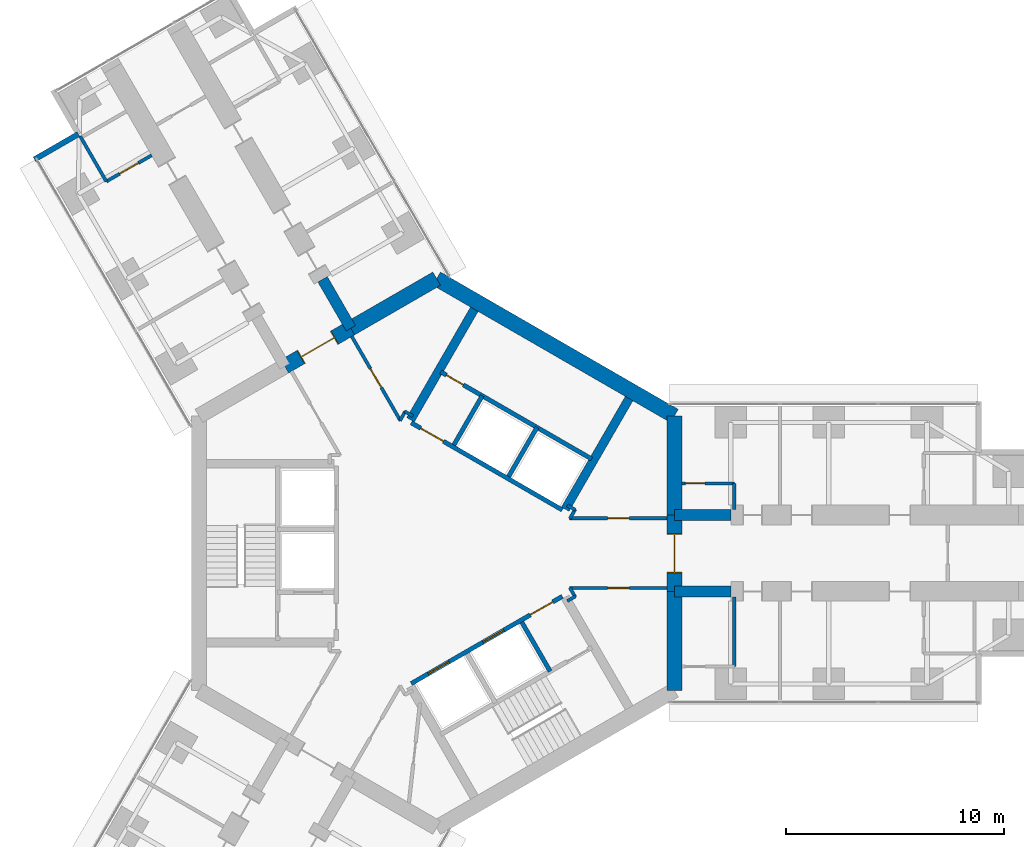
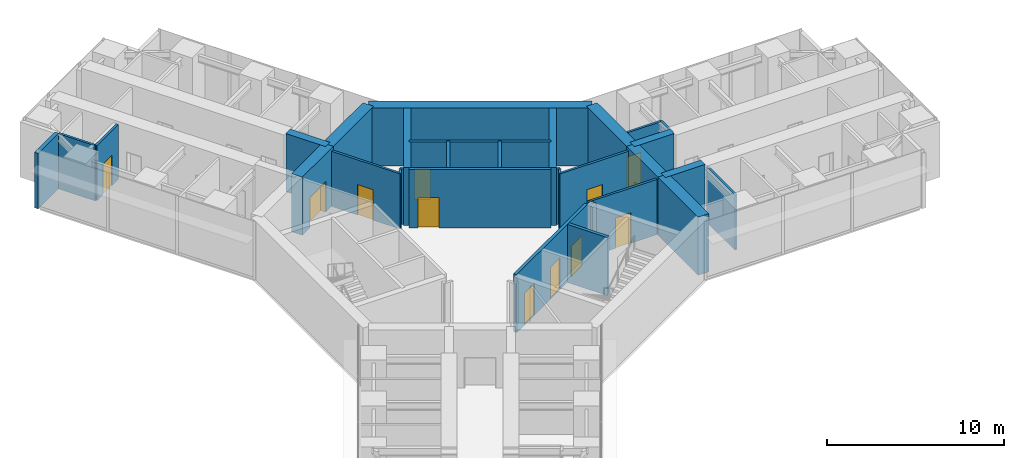
# One storey, part 18 of 24: 32 walls, 12 doors, 12 openings.
"""IFC4 building model written with IfcOpenShell, lengths in metres."""

from ifc_helpers import new_model, si_unit, direction, frame, frame_2d, origin, place, context, subcontext, project, spatial, rectangle, extrude, material, layer, layer_set, type_object, element, fill, save


model = new_model("IFC4")

# Units and contexts
model_context = context("Model", 3, precision=1e-05, world=origin(), true_north=direction((0.0, 1.0)))
body_context = subcontext(model_context, "Body", "Model", "MODEL_VIEW")
ifc_project = project(units=[si_unit("LENGTHUNIT", "METRE"), si_unit("AREAUNIT", "SQUARE_METRE"), si_unit("VOLUMEUNIT", "CUBIC_METRE"), si_unit("PLANEANGLEUNIT", "RADIAN"), si_unit("MASSUNIT", "GRAM", prefix="KILO")], contexts=[model_context])

# Site, building, storey
site_placement = place(None, origin())
site = spatial("IfcSite", under=ifc_project, at=site_placement, CompositionType="ELEMENT")
building_placement = place(site_placement, origin())
building = spatial("IfcBuilding", under=site, at=building_placement, Name="Upepo Twin Towers", CompositionType="ELEMENT")
storey_placement = place(building_placement, frame((0.0, 0.0, 56.5)))
storey = spatial("IfcBuildingStorey", under=building, at=storey_placement, Name="L13", CompositionType="ELEMENT", Elevation=56.5)

# Walls
ifc_material_1 = material(Name="Concrete C60/75", Category="concrete")
ifc_layer_1 = layer(ifc_material_1, 0.5)
ifc_layer_set_1 = layer_set([ifc_layer_1], Name="Concrete C60/75")
wall_type_1 = type_object("IfcWallType", Name="Buttress wall 500 RC", PredefinedType="SHEAR", material=ifc_layer_set_1)
for number, where, z_axis, x_axis, name in (
    (1, (10.908447265625, 1.75, 0.0), (0.0, 0.0, 1.0), (1.0, 0.0, 0.0), "T1 wing A buttress wall L"),
    (2, (10.908447265625, -1.75, 0.0), (0.0, 0.0, 1.0), (1.0, 0.0, 0.0), "T1 wing A buttress wall R"),
):
    element("IfcWall", number, at=place(storey_placement, frame(where, z_axis=z_axis, x_axis=x_axis)), inside=storey, type_object=wall_type_1, Name=name, PredefinedType="SHEAR", context=body_context, shape_type="SweptSolid", body=[
        extrude(rectangle(XDim=2.591552734375, YDim=0.5, at=frame_2d((1.2958984375, 0.0))), origin(), (0.0, 0.0, 1.0), 4.0),
    ])
wall_1_placement = place(storey_placement, frame((-3.938720703125, 10.32177734375, 0.0), z_axis=(0.0, 0.0, 1.0), x_axis=(-0.499918158782, 0.866072649678, 0.0)))
element("IfcWall", 3, at=wall_1_placement, inside=storey, type_object=wall_type_1, Name="T1 wing B buttress wall R", PredefinedType="SHEAR", context=body_context, shape_type="SweptSolid", body=[
    extrude(rectangle(XDim=2.591796875, YDim=0.5, at=frame_2d((1.2958984375, 0.0))), origin(), (0.0, 0.0, 1.0), 4.0),
])
ifc_material_2 = material(Name="Concrete C60/75", Category="concrete")
ifc_layer_2 = layer(ifc_material_2, 0.699951171875)
ifc_layer_set_2 = layer_set([ifc_layer_2], Name="Concrete C60/75")
wall_type_2 = type_object("IfcWallType", Name="Core wall 700 RC", PredefinedType="SHEAR", material=ifc_layer_set_2)
wall_2_placement = place(storey_placement, frame((10.908447265625, -6.2978515625, 0.0), z_axis=(0.0, 0.0, 1.0), x_axis=(0.0, 1.0, 0.0)))
element("IfcWall", 4, at=wall_2_placement, inside=storey, type_object=wall_type_2, Name="T1 core wall 000 R", PredefinedType="SHEAR", context=body_context, shape_type="SweptSolid", body=[
    extrude(rectangle(XDim=4.5478515625, YDim=0.699951171875, at=frame_2d((2.27392578125, 0.0))), origin(), (0.0, 0.0, 1.0), 4.0),
])

# Wall, opening, door
wall_3_placement = place(storey_placement, frame((10.908447265625, -1.75, 0.0), z_axis=(0.0, 0.0, 1.0), x_axis=(0.0, 1.0, 0.0)))
wall_3 = element("IfcWall", 5, at=wall_3_placement, inside=storey, type_object=wall_type_2, Name="T1 core wall 000", PredefinedType="SHEAR", context=body_context, shape_type="SweptSolid", body=[
    extrude(rectangle(XDim=3.5, YDim=0.699951171875, at=frame_2d((1.75, 0.0))), origin(), (0.0, 0.0, 1.0), 4.0),
])
opening_1_placement = place(wall_3_placement, frame((0.85009765625, 0.0, 0.0)))
opening_1 = element("IfcOpeningElement", 6, at=opening_1_placement, cuts=wall_3, Name="Opening D2", PredefinedType="OPENING", context=body_context, shape_type="SweptSolid", body=[
    extrude(rectangle(XDim=1.800048828125, YDim=2.10009765625, at=frame_2d((0.89990234375, 1.050048828125))), frame((0.0, 0.35986328125, 0.0), z_axis=(0.0, -1.0, 0.0), x_axis=(1.0, 0.0, 0.0)), (0.0, 0.0, 1.0), 0.719970703125),
])
ifc_material_3 = material(Name="Timber doorset", Category="wood")
door_type_1 = type_object("IfcDoorType", Name="Corridor double door 1800 FD60", OperationType="DOUBLE_DOOR_DOUBLE_SWING", PredefinedType="DOOR", material=ifc_material_3)
door_1_placement = place(opening_1_placement, origin())
door_1 = element("IfcDoor", 7, at=door_1_placement, inside=storey, type_object=door_type_1, Name="T1 L13 wing A corridor door", OperationType="DOUBLE_DOOR_DOUBLE_SWING", OverallHeight=2.10009765625, OverallWidth=1.800048828125, PredefinedType="DOOR", context=body_context, shape_type="SweptSolid", body=[
    extrude(rectangle(XDim=1.720048828125, YDim=2.06009765625, at=frame_2d((0.89990234375, 1.030029296875))), frame((0.0, 0.02490234375, 0.0), z_axis=(0.0, -1.0, 0.0), x_axis=(1.0, 0.0, 0.0)), (0.0, 0.0, 1.0), 0.050048828125),
    extrude(rectangle(XDim=0.04, YDim=2.10009765625, at=frame_2d((0.02001953125, 1.050048828125))), frame((0.0, 0.349609375, 0.0), z_axis=(0.0, -1.0, 0.0), x_axis=(1.0, 0.0, 0.0)), (0.0, 0.0, 1.0), 0.699462890625),
    extrude(rectangle(XDim=0.04, YDim=2.10009765625, at=frame_2d((1.780029296875, 1.050048828125))), frame((0.0, 0.349609375, 0.0), z_axis=(0.0, -1.0, 0.0), x_axis=(1.0, 0.0, 0.0)), (0.0, 0.0, 1.0), 0.699462890625),
    extrude(rectangle(XDim=1.720048828125, YDim=0.04, at=frame_2d((0.89990234375, 2.080078125))), frame((0.0, 0.349609375, 0.0), z_axis=(0.0, -1.0, 0.0), x_axis=(1.0, 0.0, 0.0)), (0.0, 0.0, 1.0), 0.699462890625),
])
fill(opening_1, door_1)

# Walls
wall_4_placement = place(storey_placement, frame((10.908447265625, 1.75, 0.0), z_axis=(0.0, 0.0, 1.0), x_axis=(0.0, 1.0, 0.0)))
element("IfcWall", 8, at=wall_4_placement, inside=storey, type_object=wall_type_2, Name="T1 core wall 000 L", PredefinedType="SHEAR", context=body_context, shape_type="SweptSolid", body=[
    extrude(rectangle(XDim=4.5478515625, YDim=0.699951171875, at=frame_2d((2.27392578125, 0.0))), origin(), (0.0, 0.0, 1.0), 4.0),
])
wall_5_placement = place(storey_placement, frame((10.908447265625, 6.2978515625, 0.0), z_axis=(0.0, 0.0, 1.0), x_axis=(-0.866021940709, 0.500005998175, 0.0)))
element("IfcWall", 9, at=wall_5_placement, inside=storey, type_object=wall_type_2, Name="T1 core wall 060", PredefinedType="SHEAR", context=body_context, shape_type="SweptSolid", body=[
    extrude(rectangle(XDim=12.595947265625, YDim=0.699951171875, at=frame_2d((6.2978515625, 0.0))), origin(), (0.0, 0.0, 1.0), 4.0),
])
wall_6_placement = place(storey_placement, frame((0.0, 12.595947265625, 0.0), z_axis=(0.0, 0.0, 1.0), x_axis=(-0.866011268655, -0.500024481964, 0.0)))
element("IfcWall", 10, at=wall_6_placement, inside=storey, type_object=wall_type_2, Name="T1 core wall 120 R", PredefinedType="SHEAR", context=body_context, shape_type="SweptSolid", body=[
    extrude(rectangle(XDim=4.548095703125, YDim=0.699951171875, at=frame_2d((2.27392578125, 0.0))), origin(), (0.0, 0.0, 1.0), 4.0),
])

# Wall, opening, door
wall_7_placement = place(storey_placement, frame((-3.938720703125, 10.32177734375, 0.0), z_axis=(0.0, 0.0, 1.0), x_axis=(-0.866019471182, -0.500010275428, 0.0)))
wall_7 = element("IfcWall", 11, at=wall_7_placement, inside=storey, type_object=wall_type_2, Name="T1 core wall 120", PredefinedType="SHEAR", context=body_context, shape_type="SweptSolid", body=[
    extrude(rectangle(XDim=3.5, YDim=0.699951171875, at=frame_2d((1.75, 0.0))), origin(), (0.0, 0.0, 1.0), 4.0),
])
opening_2_placement = place(wall_7_placement, frame((0.85009765625, 0.0, 0.0)))
opening_2 = element("IfcOpeningElement", 12, at=opening_2_placement, cuts=wall_7, Name="Opening D2", PredefinedType="OPENING", context=body_context, shape_type="SweptSolid", body=[
    extrude(rectangle(XDim=1.800048828125, YDim=2.10009765625, at=frame_2d((0.89990234375, 1.050048828125))), frame((0.0, 0.35986328125, 0.0), z_axis=(0.0, -1.0, 0.0), x_axis=(1.0, 0.0, 0.0)), (0.0, 0.0, 1.0), 0.719970703125),
])
door_2_placement = place(opening_2_placement, origin())
door_2 = element("IfcDoor", 13, at=door_2_placement, inside=storey, type_object=door_type_1, Name="T1 L13 wing B corridor door", OperationType="DOUBLE_DOOR_DOUBLE_SWING", OverallHeight=2.10009765625, OverallWidth=1.800048828125, PredefinedType="DOOR", context=body_context, shape_type="SweptSolid", body=[
    extrude(rectangle(XDim=1.720048828125, YDim=2.06009765625, at=frame_2d((0.89990234375, 1.030029296875))), frame((0.0, 0.02490234375, 0.0), z_axis=(0.0, -1.0, 0.0), x_axis=(1.0, 0.0, 0.0)), (0.0, 0.0, 1.0), 0.050048828125),
    extrude(rectangle(XDim=0.04, YDim=2.10009765625, at=frame_2d((0.02001953125, 1.050048828125))), frame((0.0, 0.349609375, 0.0), z_axis=(0.0, -1.0, 0.0), x_axis=(1.0, 0.0, 0.0)), (0.0, 0.0, 1.0), 0.699462890625),
    extrude(rectangle(XDim=0.04, YDim=2.10009765625, at=frame_2d((1.780029296875, 1.050048828125))), frame((0.0, 0.349609375, 0.0), z_axis=(0.0, -1.0, 0.0), x_axis=(1.0, 0.0, 0.0)), (0.0, 0.0, 1.0), 0.699462890625),
    extrude(rectangle(XDim=1.720048828125, YDim=0.04, at=frame_2d((0.89990234375, 2.080078125))), frame((0.0, 0.349609375, 0.0), z_axis=(0.0, -1.0, 0.0), x_axis=(1.0, 0.0, 0.0)), (0.0, 0.0, 1.0), 0.699462890625),
])
fill(opening_2, door_2)

# Wall
ifc_material_4 = material(Name="Blockwork with anodised aluminium cladding", Category="masonry")
ifc_layer_3 = layer(ifc_material_4, 0.25)
ifc_layer_set_3 = layer_set([ifc_layer_3], Name="Notch cladding wall 250, pale metal")
wall_type_3 = type_object("IfcWallType", Name="Notch cladding wall 250, pale metal", PredefinedType="STANDARD", material=ifc_layer_set_3)
wall_8_placement = place(storey_placement, frame((-18.456298828125, 18.0673828125, 0.0), z_axis=(0.0, 0.0, 1.0), x_axis=(0.865998469481, 0.500046648681, 0.0)))
element("IfcWall", 14, at=wall_8_placement, inside=storey, type_object=wall_type_3, Name="T1 L13 wing B notch wall L1", PredefinedType="STANDARD", context=body_context, shape_type="SweptSolid", body=[
    extrude(rectangle(XDim=2.324951171875, YDim=0.25, at=frame_2d((1.16259765625, 0.0))), origin(), (0.0, 0.0, 1.0), 3.800048828125),
])

# Wall, opening, door
ifc_material_5 = material(Name="Concrete C40/50", Category="concrete")
ifc_layer_4 = layer(ifc_material_5, 0.199951171875)
ifc_layer_set_4 = layer_set([ifc_layer_4], Name="Concrete C40/50")
wall_type_4 = type_object("IfcWallType", Name="Shaft wall 200 RC", PredefinedType="SHEAR", material=ifc_layer_set_4)
wall_9_placement = place(storey_placement, frame((5.76416015625, 1.983642578125, 0.0), z_axis=(0.0, 0.0, 1.0), x_axis=(-0.866026010844, 0.49999894854, 0.0)))
wall_9 = element("IfcWall", 15, at=wall_9_placement, inside=storey, type_object=wall_type_4, Name="T1 core W60 front wall", PredefinedType="SHEAR", context=body_context, shape_type="SweptSolid", body=[
    extrude(rectangle(XDim=8.0, YDim=0.199951171875, at=frame_2d((4.0, 0.0))), origin(), (0.0, 0.0, 1.0), 4.0),
])
opening_3_placement = place(wall_9_placement, frame((6.300048828125, 0.0, 0.0)))
opening_3 = element("IfcOpeningElement", 16, at=opening_3_placement, cuts=wall_9, Name="Opening D4", PredefinedType="OPENING", context=body_context, shape_type="SweptSolid", body=[
    extrude(rectangle(XDim=1.199951171875, YDim=2.10009765625, at=frame_2d((0.60009765625, 1.050048828125))), frame((0.0, 0.10986328125, 0.0), z_axis=(0.0, -1.0, 0.0), x_axis=(1.0, 0.0, 0.0)), (0.0, 0.0, 1.0), 0.219970703125),
])
ifc_material_6 = material(Name="Timber doorset", Category="wood")
door_type_2 = type_object("IfcDoorType", Name="Lobby door 1200 FD60", OperationType="SINGLE_SWING_LEFT", PredefinedType="DOOR", material=ifc_material_6)
door_3_placement = place(opening_3_placement, origin())
door_3 = element("IfcDoor", 17, at=door_3_placement, inside=storey, type_object=door_type_2, Name="T1 L13 W60 lobby door", OperationType="SINGLE_SWING_RIGHT", OverallHeight=2.10009765625, OverallWidth=1.199951171875, PredefinedType="DOOR", context=body_context, shape_type="SweptSolid", body=[
    extrude(rectangle(XDim=1.199951171875, YDim=2.10009765625, at=frame_2d((0.60009765625, 1.050048828125))), frame((0.0, 0.02490234375, 0.0), z_axis=(0.0, -1.0, 0.0), x_axis=(1.0, 0.0, 0.0)), (0.0, 0.0, 1.0), 0.050048828125),
])
fill(opening_3, door_3)

# Walls
for number, where, z_axis, x_axis, name in (
    (18, (3.302734375, 3.520263671875, 0.0), (0.0, 0.0, 1.0), (0.499936506574, 0.866062058628, 0.0), "T1 core W60 shaft divider"),
    (19, (0.791259765625, 4.97021484375, 0.0), (0.0, 0.0, 1.0), (0.499936506574, 0.866062058628, 0.0), "T1 core W60 lobby wall"),
):
    element("IfcWall", number, at=place(storey_placement, frame(where, z_axis=z_axis, x_axis=x_axis)), inside=storey, type_object=wall_type_4, Name=name, PredefinedType="SHEAR", context=body_context, shape_type="SweptSolid", body=[
        extrude(rectangle(XDim=2.599853515625, YDim=0.199951171875, at=frame_2d((1.2998046875, 0.0))), origin(), (0.0, 0.0, 1.0), 4.0),
    ])

# Wall, opening, door
wall_10_placement = place(storey_placement, frame((7.114013671875, 4.322021484375, 0.0), z_axis=(0.0, 0.0, 1.0), x_axis=(-0.866026010844, 0.49999894854, 0.0)))
wall_10 = element("IfcWall", 20, at=wall_10_placement, inside=storey, type_object=wall_type_4, Name="T1 core W60 stair wall", PredefinedType="SHEAR", context=body_context, shape_type="SweptSolid", body=[
    extrude(rectangle(XDim=8.0, YDim=0.199951171875, at=frame_2d((4.0, 0.0))), origin(), (0.0, 0.0, 1.0), 4.0),
])
opening_4_placement = place(wall_10_placement, frame((6.800048828125, 0.0, 0.0)))
opening_4 = element("IfcOpeningElement", 21, at=opening_4_placement, cuts=wall_10, Name="Opening D9", PredefinedType="OPENING", context=body_context, shape_type="SweptSolid", body=[
    extrude(rectangle(XDim=0.89990234375, YDim=2.10009765625, at=frame_2d((0.449951171875, 1.050048828125))), frame((0.0, 0.10986328125, 0.0), z_axis=(0.0, -1.0, 0.0), x_axis=(1.0, 0.0, 0.0)), (0.0, 0.0, 1.0), 0.219970703125),
])
ifc_material_7 = material(Name="Timber doorset", Category="wood")
door_type_3 = type_object("IfcDoorType", Name="Riser door 900 FD60", OperationType="SINGLE_SWING_LEFT", PredefinedType="DOOR", material=ifc_material_7)
door_4_placement = place(opening_4_placement, origin())
door_4 = element("IfcDoor", 22, at=door_4_placement, inside=storey, type_object=door_type_3, Name="T1 L13 riser door", OperationType="SINGLE_SWING_RIGHT", OverallHeight=2.10009765625, OverallWidth=0.89990234375, PredefinedType="DOOR", context=body_context, shape_type="SweptSolid", body=[
    extrude(rectangle(XDim=0.89990234375, YDim=2.10009765625, at=frame_2d((0.449951171875, 1.050048828125))), frame((0.0, 0.02490234375, 0.0), z_axis=(0.0, -1.0, 0.0), x_axis=(1.0, 0.0, 0.0)), (0.0, 0.0, 1.0), 0.050048828125),
])
fill(opening_4, door_4)

# Wall, openings, doors
wall_11_placement = place(storey_placement, frame((-1.1640625, -5.983642578125, 0.0), z_axis=(0.0, 0.0, 1.0), x_axis=(0.866026010844, 0.49999894854, 0.0)))
wall_11 = element("IfcWall", 23, at=wall_11_placement, inside=storey, type_object=wall_type_4, Name="T1 core W300 front wall", PredefinedType="SHEAR", context=body_context, shape_type="SweptSolid", body=[
    extrude(rectangle(XDim=8.0, YDim=0.199951171875, at=frame_2d((4.0, 0.0))), origin(), (0.0, 0.0, 1.0), 4.0),
])
opening_5_placement = place(wall_11_placement, frame((6.300048828125, 0.0, 0.0)))
opening_5 = element("IfcOpeningElement", 24, at=opening_5_placement, cuts=wall_11, Name="Opening D4", PredefinedType="OPENING", context=body_context, shape_type="SweptSolid", body=[
    extrude(rectangle(XDim=1.199951171875, YDim=2.10009765625, at=frame_2d((0.60009765625, 1.050048828125))), frame((0.0, 0.10986328125, 0.0), z_axis=(0.0, -1.0, 0.0), x_axis=(1.0, 0.0, 0.0)), (0.0, 0.0, 1.0), 0.219970703125),
])
opening_6_placement = place(wall_11_placement, frame((0.89990234375, 0.0, 0.0)))
opening_6 = element("IfcOpeningElement", 25, at=opening_6_placement, cuts=wall_11, Name="Opening LD1", PredefinedType="OPENING", context=body_context, shape_type="SweptSolid", body=[
    extrude(rectangle(XDim=1.10009765625, YDim=2.199951171875, at=frame_2d((0.550048828125, 1.10009765625))), frame((0.0, 0.10986328125, 0.0), z_axis=(0.0, -1.0, 0.0), x_axis=(1.0, 0.0, 0.0)), (0.0, 0.0, 1.0), 0.219970703125),
])
opening_7_placement = place(wall_11_placement, frame((3.800048828125, 0.0, 0.0)))
opening_7 = element("IfcOpeningElement", 26, at=opening_7_placement, cuts=wall_11, Name="Opening LD1", PredefinedType="OPENING", context=body_context, shape_type="SweptSolid", body=[
    extrude(rectangle(XDim=1.10009765625, YDim=2.199951171875, at=frame_2d((0.550048828125, 1.10009765625))), frame((0.0, 0.10986328125, 0.0), z_axis=(0.0, -1.0, 0.0), x_axis=(1.0, 0.0, 0.0)), (0.0, 0.0, 1.0), 0.219970703125),
])
ifc_material_8 = material(Name="Steel doorset", Category="steel")
door_type_4 = type_object("IfcDoorType", Name="Lift landing door 1100", OperationType="DOUBLE_DOOR_SLIDING", PredefinedType="DOOR", material=ifc_material_8)
door_5_placement = place(opening_6_placement, origin())
door_5 = element("IfcDoor", 27, at=door_5_placement, inside=storey, type_object=door_type_4, Name="T1 L13 lift LL1 landing door", OperationType="DOUBLE_DOOR_SLIDING", OverallHeight=2.199951171875, OverallWidth=1.10009765625, PredefinedType="DOOR", context=body_context, shape_type="SweptSolid", body=[
    extrude(rectangle(XDim=1.10009765625, YDim=2.199951171875, at=frame_2d((0.550048828125, 1.10009765625))), frame((0.0, 0.02490234375, 0.0), z_axis=(0.0, -1.0, 0.0), x_axis=(1.0, 0.0, 0.0)), (0.0, 0.0, 1.0), 0.050048828125),
])
fill(opening_6, door_5)
door_6_placement = place(opening_7_placement, origin())
door_6 = element("IfcDoor", 28, at=door_6_placement, inside=storey, type_object=door_type_4, Name="T1 L13 lift LL2 landing door", OperationType="DOUBLE_DOOR_SLIDING", OverallHeight=2.199951171875, OverallWidth=1.10009765625, PredefinedType="DOOR", context=body_context, shape_type="SweptSolid", body=[
    extrude(rectangle(XDim=1.10009765625, YDim=2.199951171875, at=frame_2d((0.550048828125, 1.10009765625))), frame((0.0, 0.02490234375, 0.0), z_axis=(0.0, -1.0, 0.0), x_axis=(1.0, 0.0, 0.0)), (0.0, 0.0, 1.0), 0.050048828125),
])
fill(opening_7, door_6)
door_7_placement = place(opening_5_placement, origin())
door_7 = element("IfcDoor", 29, at=door_7_placement, inside=storey, type_object=door_type_2, Name="T1 L13 W300 lobby door", OperationType="SINGLE_SWING_RIGHT", OverallHeight=2.10009765625, OverallWidth=1.199951171875, PredefinedType="DOOR", context=body_context, shape_type="SweptSolid", body=[
    extrude(rectangle(XDim=1.199951171875, YDim=2.10009765625, at=frame_2d((0.60009765625, 1.050048828125))), frame((0.0, 0.02490234375, 0.0), z_axis=(0.0, -1.0, 0.0), x_axis=(1.0, 0.0, 0.0)), (0.0, 0.0, 1.0), 0.050048828125),
])
fill(opening_5, door_7)

# Walls
wall_12_placement = place(storey_placement, frame((3.908935546875, -3.17041015625, 0.0), z_axis=(0.0, 0.0, 1.0), x_axis=(0.49997716683, -0.86603858612, 0.0)))
element("IfcWall", 30, at=wall_12_placement, inside=storey, type_object=wall_type_4, Name="T1 core W300 lobby wall", PredefinedType="SHEAR", context=body_context, shape_type="SweptSolid", body=[
    extrude(rectangle(XDim=2.599609375, YDim=0.199951171875, at=frame_2d((1.2998046875, 0.0))), origin(), (0.0, 0.0, 1.0), 4.0),
])
ifc_material_9 = material(Name="Concrete C40/50", Category="concrete")
ifc_layer_5 = layer(ifc_material_9, 0.39990234375)
ifc_layer_set_5 = layer_set([ifc_layer_5], Name="Concrete C40/50")
wall_type_5 = type_object("IfcWallType", Name="Shaft wall 400 RC", PredefinedType="SHEAR", material=ifc_layer_set_5)
for number, where, z_axis, x_axis, name in (
    (31, (-1.20068359375, 6.120361328125, 0.0), (0.0, 0.0, 1.0), (0.500002627198, 0.866023886965, 0.0), "T1 core W60 side wall N"),
    (32, (5.900634765625, 2.020263671875, 0.0), (0.0, 0.0, 1.0), (0.500002627198, 0.866023886965, 0.0), "T1 core W60 side wall S"),
):
    element("IfcWall", number, at=place(storey_placement, frame(where, z_axis=z_axis, x_axis=x_axis)), inside=storey, type_object=wall_type_5, Name=name, PredefinedType="SHEAR", context=body_context, shape_type="SweptSolid", body=[
        extrude(rectangle(XDim=5.8583984375, YDim=0.39990234375, at=frame_2d((2.92919921875, 0.0))), origin(), (0.0, 0.0, 1.0), 4.0),
    ])

# Wall, opening, door
ifc_material_10 = material(Name="Gypsum board on steel studs", Category="steel")
ifc_layer_6 = layer(ifc_material_10, 0.14990234375)
ifc_layer_set_6 = layer_set([ifc_layer_6], Name="Teaching partition 150 acoustic")
wall_type_6 = type_object("IfcWallType", Name="Teaching partition 150 acoustic", PredefinedType="PARTITIONING", material=ifc_layer_set_6)
wall_13_placement = place(storey_placement, frame((11.258056640625, 3.199951171875, 0.0), z_axis=(0.0, 0.0, 1.0), x_axis=(1.0, 0.0, 0.0)))
wall_13 = element("IfcWall", 33, at=wall_13_placement, inside=storey, type_object=wall_type_6, Name="T1 WC bay partition AL at 11.26", PredefinedType="PARTITIONING", context=body_context, shape_type="SweptSolid", body=[
    extrude(rectangle(XDim=2.39990234375, YDim=0.14990234375, at=frame_2d((1.199951171875, 0.0))), origin(), (0.0, 0.0, 1.0), 3.800048828125),
])
opening_8_placement = place(wall_13_placement, frame((0.14990234375, 0.0, 0.0)))
opening_8 = element("IfcOpeningElement", 34, at=opening_8_placement, cuts=wall_13, Name="Opening D14", PredefinedType="OPENING", context=body_context, shape_type="SweptSolid", body=[
    extrude(rectangle(XDim=0.89990234375, YDim=2.10009765625, at=frame_2d((0.449951171875, 1.050048828125))), frame((0.0, 0.0849609375, 0.0), z_axis=(0.0, -1.0, 0.0), x_axis=(1.0, 0.0, 0.0)), (0.0, 0.0, 1.0), 0.169921875),
])
ifc_material_11 = material(Name="Timber doorset", Category="wood")
door_type_5 = type_object("IfcDoorType", Name="Office door 900 FD30", OperationType="SINGLE_SWING_LEFT", PredefinedType="DOOR", material=ifc_material_11)
door_8_placement = place(opening_8_placement, origin())
door_8 = element("IfcDoor", 35, at=door_8_placement, inside=storey, type_object=door_type_5, Name="T1 L13 WC bay inner room door", OperationType="SINGLE_SWING_LEFT", OverallHeight=2.10009765625, OverallWidth=0.89990234375, PredefinedType="DOOR", context=body_context, shape_type="SweptSolid", body=[
    extrude(rectangle(XDim=0.89990234375, YDim=2.10009765625, at=frame_2d((0.449951171875, 1.050048828125))), frame((0.0, 0.02490234375, 0.0), z_axis=(0.0, -1.0, 0.0), x_axis=(1.0, 0.0, 0.0)), (0.0, 0.0, 1.0), 0.050048828125),
])
fill(opening_8, door_8)

# Walls
wall_14_placement = place(storey_placement, frame((13.657958984375, 2.0, 0.0), z_axis=(0.0, 0.0, 1.0), x_axis=(0.0, 1.0, 0.0)))
element("IfcWall", 36, at=wall_14_placement, inside=storey, type_object=wall_type_6, Name="T1 WC bay partition AL end at 13.66", PredefinedType="PARTITIONING", context=body_context, shape_type="SweptSolid", body=[
    extrude(rectangle(XDim=1.199951171875, YDim=0.14990234375, at=frame_2d((0.60009765625, 0.0))), origin(), (0.0, 0.0, 1.0), 3.800048828125),
])
wall_15_placement = place(storey_placement, frame((13.657958984375, -2.0, 0.0), z_axis=(0.0, 0.0, 1.0), x_axis=(0.0, -1.0, 0.0)))
element("IfcWall", 37, at=wall_15_placement, inside=storey, type_object=wall_type_6, Name="T1 WC bay partition AR end at 13.66", PredefinedType="PARTITIONING", context=body_context, shape_type="SweptSolid", body=[
    extrude(rectangle(XDim=3.199951171875, YDim=0.14990234375, at=frame_2d((1.60009765625, 0.0))), origin(), (0.0, 0.0, 1.0), 3.800048828125),
])
wall_16_placement = place(storey_placement, frame((-15.15869140625, 17.0556640625, 0.0), z_axis=(0.0, 0.0, 1.0), x_axis=(-0.500001309137, 0.866024647952, 0.0)))
element("IfcWall", 38, at=wall_16_placement, inside=storey, type_object=wall_type_6, Name="T1 inner room partition BL at 22.35", PredefinedType="PARTITIONING", context=body_context, shape_type="SweptSolid", body=[
    extrude(rectangle(XDim=2.39990234375, YDim=0.14990234375, at=frame_2d((1.199951171875, 0.0))), origin(), (0.0, 0.0, 1.0), 3.800048828125),
])

# Wall, opening, door
wall_17_placement = place(storey_placement, frame((-13.080322265625, 18.255615234375, 0.0), z_axis=(0.0, 0.0, 1.0), x_axis=(-0.866024647952, -0.500001309137, 0.0)))
wall_17 = element("IfcWall", 39, at=wall_17_placement, inside=storey, type_object=wall_type_6, Name="T1 inner room partition BL end at 22.35", PredefinedType="PARTITIONING", context=body_context, shape_type="SweptSolid", body=[
    extrude(rectangle(XDim=2.39990234375, YDim=0.14990234375, at=frame_2d((1.199951171875, 0.0))), origin(), (0.0, 0.0, 1.0), 3.800048828125),
])
opening_9_placement = place(wall_17_placement, frame((0.699951171875, 0.0, 0.0)))
opening_9 = element("IfcOpeningElement", 40, at=opening_9_placement, cuts=wall_17, Name="Opening D1", PredefinedType="OPENING", context=body_context, shape_type="SweptSolid", body=[
    extrude(rectangle(XDim=1.0, YDim=2.10009765625, at=frame_2d((0.5, 1.050048828125))), frame((0.0, 0.0849609375, 0.0), z_axis=(0.0, -1.0, 0.0), x_axis=(1.0, 0.0, 0.0)), (0.0, 0.0, 1.0), 0.169921875),
])
ifc_material_12 = material(Name="Timber doorset", Category="wood")
door_type_6 = type_object("IfcDoorType", Name="Room door 1000 FD30", OperationType="SINGLE_SWING_LEFT", PredefinedType="DOOR", material=ifc_material_12)
door_9_placement = place(opening_9_placement, origin())
door_9 = element("IfcDoor", 41, at=door_9_placement, inside=storey, type_object=door_type_6, Name="T1 L13 inner room door", OperationType="SINGLE_SWING_LEFT", OverallHeight=2.10009765625, OverallWidth=1.0, PredefinedType="DOOR", context=body_context, shape_type="SweptSolid", body=[
    extrude(rectangle(XDim=1.0, YDim=2.10009765625, at=frame_2d((0.5, 1.050048828125))), frame((0.0, 0.02490234375, 0.0), z_axis=(0.0, -1.0, 0.0), x_axis=(1.0, 0.0, 0.0)), (0.0, 0.0, 1.0), 0.050048828125),
])
fill(opening_9, door_9)

# Wall
wall_18_placement = place(storey_placement, frame((6.364501953125, -1.9833984375, 0.0), z_axis=(0.0, 0.0, 1.0), x_axis=(-0.865892400268, -0.500230298122, 0.0)))
element("IfcWall", 42, at=wall_18_placement, inside=storey, type_object=wall_type_6, Name="T1 core room partition 1", PredefinedType="PARTITIONING", context=body_context, shape_type="SweptSolid", body=[
    extrude(rectangle(XDim=0.429931640625, YDim=0.14990234375, at=frame_2d((0.21484375, 0.0))), origin(), (0.0, 0.0, 1.0), 3.800048828125),
])

# Wall, opening, door
wall_19_placement = place(storey_placement, frame((-3.8984375, 9.952392578125, 0.0), z_axis=(0.0, 0.0, 1.0), x_axis=(0.499999927604, -0.866025445582, 0.0)))
wall_19 = element("IfcWall", 43, at=wall_19_placement, inside=storey, type_object=wall_type_6, Name="T1 core room partition 11", PredefinedType="PARTITIONING", context=body_context, shape_type="SweptSolid", body=[
    extrude(rectangle(XDim=4.46826171875, YDim=0.14990234375, at=frame_2d((2.234130859375, 0.0))), origin(), (0.0, 0.0, 1.0), 3.800048828125),
])
opening_10_placement = place(wall_19_placement, frame((1.72412109375, 0.0, 0.0)))
opening_10 = element("IfcOpeningElement", 44, at=opening_10_placement, cuts=wall_19, Name="Opening D1", PredefinedType="OPENING", context=body_context, shape_type="SweptSolid", body=[
    extrude(rectangle(XDim=1.0, YDim=2.10009765625, at=frame_2d((0.5, 1.050048828125))), frame((0.0, 0.0849609375, 0.0), z_axis=(0.0, -1.0, 0.0), x_axis=(1.0, 0.0, 0.0)), (0.0, 0.0, 1.0), 0.169921875),
])
door_10_placement = place(opening_10_placement, origin())
door_10 = element("IfcDoor", 45, at=door_10_placement, inside=storey, type_object=door_type_6, Name="T1 L13 core room door K6", OperationType="SINGLE_SWING_LEFT", OverallHeight=2.10009765625, OverallWidth=1.0, PredefinedType="DOOR", context=body_context, shape_type="SweptSolid", body=[
    extrude(rectangle(XDim=1.0, YDim=2.10009765625, at=frame_2d((0.5, 1.050048828125))), frame((0.0, 0.02490234375, 0.0), z_axis=(0.0, -1.0, 0.0), x_axis=(1.0, 0.0, 0.0)), (0.0, 0.0, 1.0), 0.050048828125),
])
fill(opening_10, door_10)

# Walls
wall_20_placement = place(storey_placement, frame((-1.684326171875, 6.082763671875, 0.0), z_axis=(0.0, 0.0, 1.0), x_axis=(0.50033519877, 0.865831790172, 0.0)))
element("IfcWall", 46, at=wall_20_placement, inside=storey, type_object=wall_type_6, Name="T1 core room partition 12", PredefinedType="PARTITIONING", context=body_context, shape_type="SweptSolid", body=[
    extrude(rectangle(XDim=0.494384765625, YDim=0.14990234375, at=frame_2d((0.2470703125, 0.0))), origin(), (0.0, 0.0, 1.0), 3.800048828125),
])
for number, where, z_axis, x_axis, name in (
    (47, (-1.46435546875, 6.50341796875, 0.0), (0.0, 0.0, 1.0), (0.866138304741, -0.499804398801, 0.0), "T1 core room partition 13"),
    (48, (5.9921875, 2.198486328125, 0.0), (0.0, 0.0, 1.0), (0.865892400268, -0.500230298122, 0.0), "T1 core room partition 14"),
):
    element("IfcWall", number, at=place(storey_placement, frame(where, z_axis=z_axis, x_axis=x_axis)), inside=storey, type_object=wall_type_6, Name=name, PredefinedType="PARTITIONING", context=body_context, shape_type="SweptSolid", body=[
        extrude(rectangle(XDim=0.429931640625, YDim=0.14990234375, at=frame_2d((0.21484375, 0.0))), origin(), (0.0, 0.0, 1.0), 3.800048828125),
    ])
wall_21_placement = place(storey_placement, frame((6.357177734375, 2.0107421875, 0.0), z_axis=(0.0, 0.0, 1.0), x_axis=(-0.50033519877, -0.865831790172, 0.0)))
element("IfcWall", 49, at=wall_21_placement, inside=storey, type_object=wall_type_6, Name="T1 core room partition 15", PredefinedType="PARTITIONING", context=body_context, shape_type="SweptSolid", body=[
    extrude(rectangle(XDim=0.494384765625, YDim=0.14990234375, at=frame_2d((0.2470703125, 0.0))), origin(), (0.0, 0.0, 1.0), 3.800048828125),
])

# Wall, opening, door
wall_22_placement = place(storey_placement, frame((6.099853515625, 1.60009765625, 0.0), z_axis=(0.0, 0.0, 1.0), x_axis=(1.0, 0.0, 0.0)))
wall_22 = element("IfcWall", 50, at=wall_22_placement, inside=storey, type_object=wall_type_6, Name="T1 core room partition 16", PredefinedType="PARTITIONING", context=body_context, shape_type="SweptSolid", body=[
    extrude(rectangle(XDim=4.468505859375, YDim=0.14990234375, at=frame_2d((2.234375, 0.0))), origin(), (0.0, 0.0, 1.0), 3.800048828125),
])
opening_11_placement = place(wall_22_placement, frame((1.744384765625, 0.0, 0.0)))
opening_11 = element("IfcOpeningElement", 51, at=opening_11_placement, cuts=wall_22, Name="Opening D1", PredefinedType="OPENING", context=body_context, shape_type="SweptSolid", body=[
    extrude(rectangle(XDim=1.0, YDim=2.10009765625, at=frame_2d((0.5, 1.050048828125))), frame((0.0, 0.0849609375, 0.0), z_axis=(0.0, -1.0, 0.0), x_axis=(1.0, 0.0, 0.0)), (0.0, 0.0, 1.0), 0.169921875),
])
door_11_placement = place(opening_11_placement, origin())
door_11 = element("IfcDoor", 52, at=door_11_placement, inside=storey, type_object=door_type_6, Name="T1 L13 core room door K5", OperationType="SINGLE_SWING_RIGHT", OverallHeight=2.10009765625, OverallWidth=1.0, PredefinedType="DOOR", context=body_context, shape_type="SweptSolid", body=[
    extrude(rectangle(XDim=1.0, YDim=2.10009765625, at=frame_2d((0.5, 1.050048828125))), frame((0.0, 0.02490234375, 0.0), z_axis=(0.0, -1.0, 0.0), x_axis=(1.0, 0.0, 0.0)), (0.0, 0.0, 1.0), 0.050048828125),
])
fill(opening_11, door_11)

wall_23_placement = place(storey_placement, frame((10.568359375, -1.60009765625, 0.0), z_axis=(0.0, 0.0, 1.0), x_axis=(-1.0, 0.0, 0.0)))
wall_23 = element("IfcWall", 53, at=wall_23_placement, inside=storey, type_object=wall_type_6, Name="T1 core room partition 17", PredefinedType="PARTITIONING", context=body_context, shape_type="SweptSolid", body=[
    extrude(rectangle(XDim=4.468505859375, YDim=0.14990234375, at=frame_2d((2.234375, 0.0))), origin(), (0.0, 0.0, 1.0), 3.800048828125),
])
opening_12_placement = place(wall_23_placement, frame((1.72412109375, 0.0, 0.0)))
opening_12 = element("IfcOpeningElement", 54, at=opening_12_placement, cuts=wall_23, Name="Opening D1", PredefinedType="OPENING", context=body_context, shape_type="SweptSolid", body=[
    extrude(rectangle(XDim=1.0, YDim=2.10009765625, at=frame_2d((0.5, 1.050048828125))), frame((0.0, 0.0849609375, 0.0), z_axis=(0.0, -1.0, 0.0), x_axis=(1.0, 0.0, 0.0)), (0.0, 0.0, 1.0), 0.169921875),
])
door_12_placement = place(opening_12_placement, origin())
door_12 = element("IfcDoor", 55, at=door_12_placement, inside=storey, type_object=door_type_6, Name="T1 L13 core room door K4", OperationType="SINGLE_SWING_LEFT", OverallHeight=2.10009765625, OverallWidth=1.0, PredefinedType="DOOR", context=body_context, shape_type="SweptSolid", body=[
    extrude(rectangle(XDim=1.0, YDim=2.10009765625, at=frame_2d((0.5, 1.050048828125))), frame((0.0, 0.02490234375, 0.0), z_axis=(0.0, -1.0, 0.0), x_axis=(1.0, 0.0, 0.0)), (0.0, 0.0, 1.0), 0.050048828125),
])
fill(opening_12, door_12)

# Wall
wall_24_placement = place(storey_placement, frame((6.10986328125, -1.582763671875, 0.0), z_axis=(0.0, 0.0, 1.0), x_axis=(0.50033519877, -0.865831790172, 0.0)))
element("IfcWall", 56, at=wall_24_placement, inside=storey, type_object=wall_type_6, Name="T1 core room partition 18", PredefinedType="PARTITIONING", context=body_context, shape_type="SweptSolid", body=[
    extrude(rectangle(XDim=0.494384765625, YDim=0.14990234375, at=frame_2d((0.2470703125, 0.0))), origin(), (0.0, 0.0, 1.0), 3.800048828125),
])

save(model, "model.ifc")
